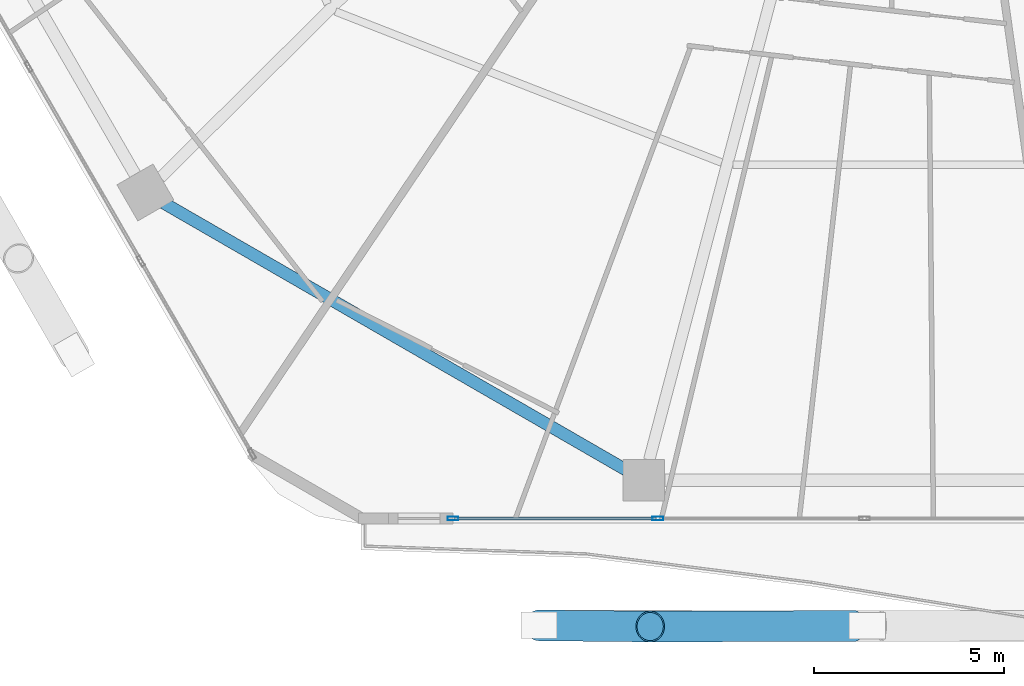
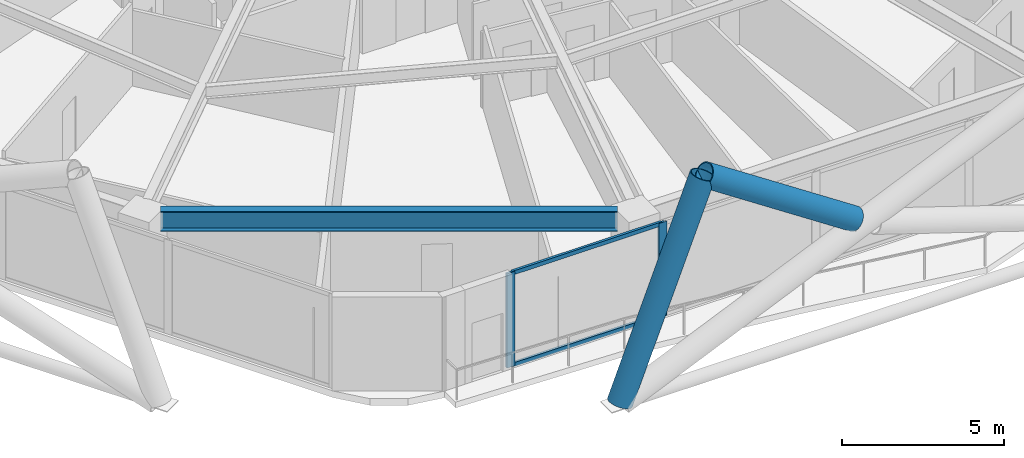
# One storey, part 3 of 35: 6 members, 1 beam, 1 element without a shape of its own.
"""IFC4 building model written with IfcOpenShell, lengths in metres."""

from ifc_helpers import new_model, si_unit, direction, frame, origin, origin_2d, place, context, subcontext, project, spatial, hollow_rectangle, hollow_circle, i_section, extrude, material, material_profile, profile_set, type_object, element, aggregate, save


model = new_model("IFC4")

# Units and contexts
model_context = context("Model", 3, precision=1e-05, world=origin(), true_north=direction((0.0, 1.0)))
body_context = subcontext(model_context, "Body", "Model", "MODEL_VIEW")
ifc_project = project(units=[si_unit("LENGTHUNIT", "METRE"), si_unit("AREAUNIT", "SQUARE_METRE"), si_unit("VOLUMEUNIT", "CUBIC_METRE"), si_unit("PLANEANGLEUNIT", "RADIAN"), si_unit("MASSUNIT", "GRAM", prefix="KILO")], contexts=[model_context])

# Site, building, storey
site_placement = place(None, origin())
site = spatial("IfcSite", under=ifc_project, at=site_placement, CompositionType="ELEMENT")
building_placement = place(site_placement, origin())
building = spatial("IfcBuilding", under=site, at=building_placement, Name="Zuhravey Tower", CompositionType="ELEMENT")
storey_placement = place(building_placement, frame((0.0, 0.0, 92.39990234375)))
storey = spatial("IfcBuildingStorey", under=building, at=storey_placement, Name="L22", CompositionType="ELEMENT", Elevation=92.39990234375)

# Curtain wall, members
ifc_material_1 = material(Name="Thermally broken anodised aluminium", Category="aluminium")
curtain_wall_type = type_object("IfcCurtainWallType", Name="Zone 1-2 Residential Curtain Wall CW3", PredefinedType="NOTDEFINED", material=ifc_material_1)
curtain_wall_placement = place(storey_placement, origin())
curtain_wall = element("IfcCurtainWall", 1, at=curtain_wall_placement, inside=storey, type_object=curtain_wall_type, Name="L22 CW3 CW-L22-F5-1", PredefinedType="NOTDEFINED")
ifc_material_2 = material(Name="Anodised aluminium", Category="aluminium")
ifc_material_profile_1 = material_profile(ifc_material_2, hollow_rectangle(XDim=0.090087890625, YDim=0.284912109375, WallThickness=0.0048828125, at=origin_2d()), Name="ALU-RHS-90x285x5")
ifc_profile_set_1 = profile_set([ifc_material_profile_1], Name="Anodised aluminium")
member_type_1 = type_object("IfcMemberType", Name="Curtain-Wall Mullion 90x180", PredefinedType="MULLION", material=ifc_profile_set_1)
member_1_placement = place(storey_placement, frame((29.000244140625, 3.04150390625, 0.0), z_axis=(0.0, 0.0, 1.0), x_axis=(0.0, -1.0, 0.0)))
member_1 = element("IfcMember", 2, at=member_1_placement, type_object=member_type_1, Name="CW3 mullion 5", PredefinedType="MULLION", context=body_context, shape_type="SweptSolid", body=[
    extrude(hollow_rectangle(XDim=0.090087890625, YDim=0.284912109375, WallThickness=0.0048828125, at=origin_2d()), origin(), (0.0, 0.0, 1.0), 3.550048828125),
])
member_2_placement = place(storey_placement, frame((23.595458984375, 3.04150390625, 0.0), z_axis=(0.0, 0.0, 1.0), x_axis=(0.0, -1.0, 0.0)))
member_2 = element("IfcMember", 3, at=member_2_placement, type_object=member_type_1, Name="CW3 mullion 6", PredefinedType="MULLION", context=body_context, shape_type="SweptSolid", body=[
    extrude(hollow_rectangle(XDim=0.090087890625, YDim=0.284912109375, WallThickness=0.0048828125, at=origin_2d()), origin(), (0.0, 0.0, 1.0), 3.550048828125),
])
ifc_material_profile_2 = material_profile(ifc_material_2, hollow_rectangle(XDim=0.090087890625, YDim=0.14990234375, WallThickness=0.0048828125, at=origin_2d()), Name="ALU-RHS-90x150x5")
ifc_profile_set_2 = profile_set([ifc_material_profile_2], Name="Anodised aluminium")
member_type_2 = type_object("IfcMemberType", Name="Curtain-Wall Transom 90x150", PredefinedType="USERDEFINED", material=ifc_profile_set_2)
member_3_placement = place(storey_placement, frame((28.955322265625, 3.04150390625, 0.045166015625), z_axis=(-1.0, 0.0, 0.0), x_axis=(0.0, -1.0, 0.0)))
member_3 = element("IfcMember", 4, at=member_3_placement, type_object=member_type_2, Name="CW3 transom 5.1", ObjectType="TRANSOM", PredefinedType="USERDEFINED", context=body_context, shape_type="SweptSolid", body=[
    extrude(hollow_rectangle(XDim=0.090087890625, YDim=0.14990234375, WallThickness=0.0048828125, at=origin_2d()), origin(), (0.0, 0.0, 1.0), 5.31494140625),
])
member_4_placement = place(storey_placement, frame((28.955322265625, 3.04150390625, 3.505126953125), z_axis=(-1.0, 0.0, 0.0), x_axis=(0.0, -1.0, 0.0)))
member_4 = element("IfcMember", 5, at=member_4_placement, type_object=member_type_2, Name="CW3 transom 5.2", ObjectType="TRANSOM", PredefinedType="USERDEFINED", context=body_context, shape_type="SweptSolid", body=[
    extrude(hollow_rectangle(XDim=0.090087890625, YDim=0.14990234375, WallThickness=0.0048828125, at=origin_2d()), origin(), (0.0, 0.0, 1.0), 5.31494140625),
])
aggregate(curtain_wall, [member_1, member_2, member_3, member_4])

# Members
ifc_material_3 = material(Name="Steel SM460", Category="steel")
ifc_material_profile_3 = material_profile(ifc_material_3, hollow_circle(Radius=0.406494140625, WallThickness=0.035888671875, at=origin_2d()), Name="CHS-812.8x36")
ifc_profile_set_3 = profile_set([ifc_material_profile_3], Name="Steel SM460")
member_type_3 = type_object("IfcMemberType", Name="Exoskeleton Zone 1 Diagrid CHS813x36", PredefinedType="BRACE", material=ifc_profile_set_3)
member_5_placement = place(storey_placement, frame((25.871826171875, 0.221435546875, -0.44189453125), z_axis=(0.36108971675, -0.003675980094, 0.932523835421), x_axis=(0.010179712835, 0.999948185381, 0.0)))
element("IfcMember", 6, at=member_5_placement, inside=storey, type_object=member_type_3, Name="L22 Face 5 Diagrid Brace 1", PredefinedType="BRACE", context=body_context, shape_type="SweptSolid", body=[
    extrude(hollow_circle(Radius=0.406494140625, WallThickness=0.035888671875, at=origin_2d()), origin(), (0.0, 0.0, 1.0), 8.1025390625),
])
member_6_placement = place(storey_placement, frame((34.1982421875, 0.20556640625, 3.555419921875), z_axis=(-0.833053584113, -0.002168320667, 0.55318805517), x_axis=(0.002602849761, -0.999996612581, 0.0)))
element("IfcMember", 7, at=member_6_placement, inside=storey, type_object=member_type_3, Name="L22 Face 5 Split Diagrid Brace 3B", PredefinedType="BRACE", context=body_context, shape_type="SweptSolid", body=[
    extrude(hollow_circle(Radius=0.406494140625, WallThickness=0.035888671875, at=origin_2d()), origin(), (0.0, 0.0, 1.0), 6.41796875),
])

# Beam
ifc_material_4 = material(Name="Steel SM355", Category="steel")
ifc_material_profile_4 = material_profile(ifc_material_4, i_section(OverallWidth=0.320068359375, OverallDepth=0.75, WebThickness=0.013916015625, FlangeThickness=0.02490234375, at=origin_2d()), Name="H-750x320x14x25")
ifc_profile_set_4 = profile_set([ifc_material_profile_4], Name="Steel SM355")
beam_type = type_object("IfcBeamType", Name="Perimeter Ring Beam H750x320", PredefinedType="BEAM", material=ifc_profile_set_4)
beam_placement = place(storey_placement, frame((15.9599609375, 11.36669921875, 3.175048828125), z_axis=(0.866017786538, -0.500013193225, 0.0), x_axis=(0.500013193225, 0.866017786538, 0.0)))
element("IfcBeam", 8, at=beam_placement, inside=storey, type_object=beam_type, Name="L22 PB1 BM-L22-PB-08", PredefinedType="BEAM", context=body_context, shape_type="SweptSolid", body=[
    extrude(i_section(OverallWidth=0.320068359375, OverallDepth=0.75, WebThickness=0.013916015625, FlangeThickness=0.02490234375, at=origin_2d()), origin(), (0.0, 0.0, 1.0), 14.0771484375),
])

save(model, "model.ifc")
